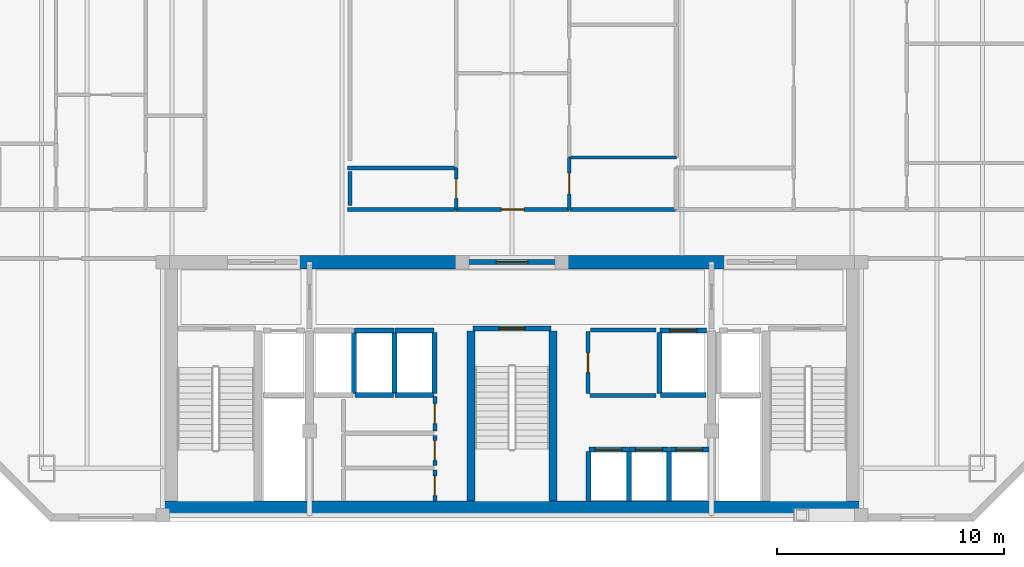
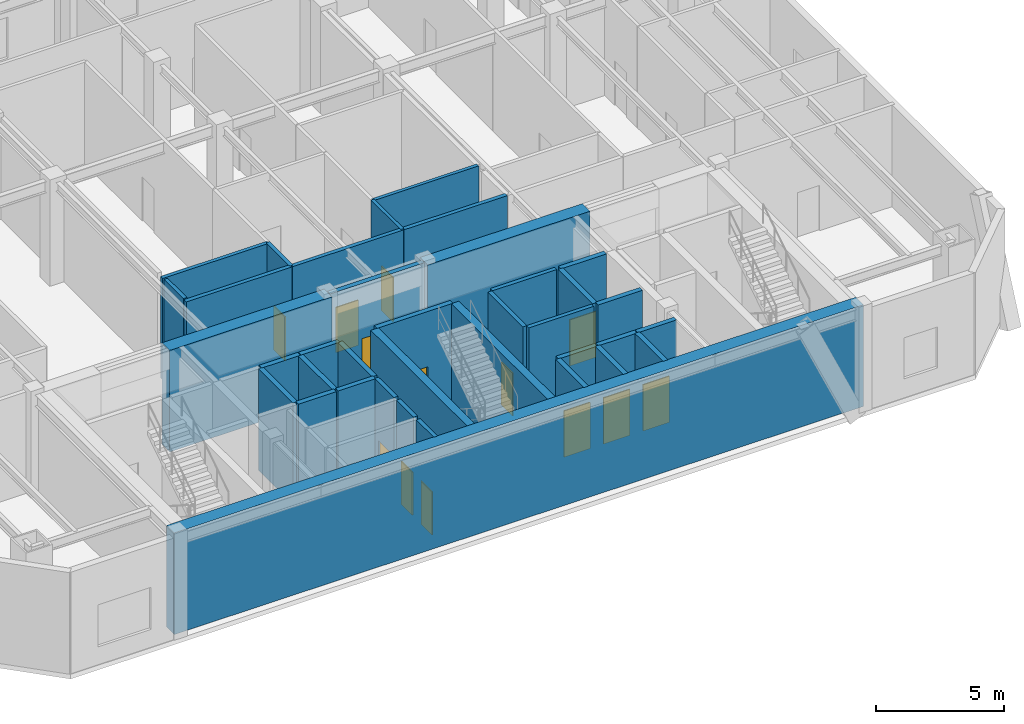
# One storey, part 3 of 8: 37 walls, 13 doors, 13 openings.
"""IFC4 building model written with IfcOpenShell, lengths in metres."""

from ifc_helpers import new_model, si_unit, direction, frame, frame_2d, origin, place, context, subcontext, project, spatial, rectangle, extrude, material, layer, layer_set, type_object, element, fill, save


model = new_model("IFC4")

# Units and contexts
model_context = context("Model", 3, precision=1e-05, world=origin(), true_north=direction((0.0, 1.0)))
body_context = subcontext(model_context, "Body", "Model", "MODEL_VIEW")
ifc_project = project(units=[si_unit("LENGTHUNIT", "METRE"), si_unit("AREAUNIT", "SQUARE_METRE"), si_unit("VOLUMEUNIT", "CUBIC_METRE"), si_unit("PLANEANGLEUNIT", "RADIAN"), si_unit("MASSUNIT", "GRAM", prefix="KILO")], contexts=[model_context])

# Site, building, storey
site_placement = place(None, origin())
site = spatial("IfcSite", under=ifc_project, at=site_placement, CompositionType="ELEMENT")
building_placement = place(site_placement, origin())
building = spatial("IfcBuilding", under=site, at=building_placement, Name="Ventersveld Concourse Tower", CompositionType="ELEMENT")
storey_placement = place(building_placement, frame((0.0, 0.0, 187.550048828125)))
storey = spatial("IfcBuildingStorey", under=building, at=storey_placement, Name="L46", CompositionType="ELEMENT", Elevation=187.550048828125)

# Walls
ifc_material_1 = material(Name="Concrete C50/60", Category="concrete")
ifc_layer_1 = layer(ifc_material_1, 0.35009765625)
ifc_layer_set_1 = layer_set([ifc_layer_1], Name="Concrete C50/60")
wall_type_1 = type_object("IfcWallType", Name="WL-CORE-350U", PredefinedType="SHEAR", material=ifc_layer_set_1)
for number, where, z_axis, x_axis, name in (
    (1, (26.93994140625, 0.919921875, 0.0), (0.0, 0.0, 1.0), (0.0, 1.0, 0.0), "L46 Core Internal Shear Web W-ST3-W"),
    (2, (30.56005859375, 0.919921875, 0.0), (0.0, 0.0, 1.0), (0.0, 1.0, 0.0), "L46 Core Internal Shear Web W-ST3-E"),
):
    element("IfcWall", number, at=place(storey_placement, frame(where, z_axis=z_axis, x_axis=x_axis)), inside=storey, type_object=wall_type_1, Name=name, PredefinedType="SHEAR", context=body_context, shape_type="SweptSolid", body=[
        extrude(rectangle(XDim=7.5, YDim=0.35009765625, at=frame_2d((3.75, 0.0))), origin(), (0.0, 0.0, 1.0), 4.829833984375),
    ])
ifc_layer_2 = layer(ifc_material_1, 0.60009765625)
ifc_layer_set_2 = layer_set([ifc_layer_2], Name="Concrete C50/60")
wall_type_2 = type_object("IfcWallType", Name="WL-CORE-600", PredefinedType="SHEAR", material=ifc_layer_set_2)
wall_1_placement = place(storey_placement, frame((13.25, 0.6201171875, 0.0), z_axis=(0.0, 0.0, 1.0), x_axis=(1.0, 0.0, 0.0)))
element("IfcWall", 3, at=wall_1_placement, inside=storey, type_object=wall_type_2, Name="L46 Rear Core South Shear Wall", PredefinedType="SHEAR", context=body_context, shape_type="SweptSolid", body=[
    extrude(rectangle(XDim=31.0, YDim=0.60009765625, at=frame_2d((15.5, 0.0))), origin(), (0.0, 0.0, 1.0), 4.829833984375),
])
for number, where, z_axis, x_axis, name in (
    (4, (19.300048828125, 11.449951171875, 0.0), (0.0, 0.0, 1.0), (1.0, 0.0, 0.0), "L46 Rear Core North Shear Wall NML"),
    (5, (30.89990234375, 11.449951171875, 0.0), (0.0, 0.0, 1.0), (1.0, 0.0, 0.0), "L46 Rear Core North Shear Wall NMR"),
):
    element("IfcWall", number, at=place(storey_placement, frame(where, z_axis=z_axis, x_axis=x_axis)), inside=storey, type_object=wall_type_2, Name=name, PredefinedType="SHEAR", context=body_context, shape_type="SweptSolid", body=[
        extrude(rectangle(XDim=7.300048828125, YDim=0.60009765625, at=frame_2d((3.64990234375, 0.0))), origin(), (0.0, 0.0, 1.0), 4.829833984375),
    ])

# Wall, opening, door
ifc_material_2 = material(Name="Fire-rated autoclaved aerated masonry blockwork", Category="masonry")
ifc_layer_3 = layer(ifc_material_2, 0.179931640625)
ifc_layer_set_3 = layer_set([ifc_layer_3], Name="Fire-rated autoclaved aerated masonry blockwork")
wall_type_3 = type_object("IfcWallType", Name="WL-CORR-180", PredefinedType="PARTITIONING", material=ifc_layer_set_3)
wall_2_placement = place(storey_placement, frame((25.35009765625, 0.89990234375, 0.0), z_axis=(0.0, 0.0, 1.0), x_axis=(0.0, 1.0, 0.0)))
wall_2 = element("IfcWall", 6, at=wall_2_placement, inside=storey, type_object=wall_type_3, Name="L46 Core Passage Wall SP-L46-RECB1S", PredefinedType="PARTITIONING", context=body_context, shape_type="SweptSolid", body=[
    extrude(rectangle(XDim=1.3701171875, YDim=0.179931640625, at=frame_2d((0.68505859375, 0.0))), origin(), (0.0, 0.0, 1.0), 4.829833984375),
])
opening_1_placement = place(wall_2_placement, frame((0.2451171875, 0.0, 0.0)))
opening_1 = element("IfcOpeningElement", 7, at=opening_1_placement, cuts=wall_2, Name="Opening FD5", PredefinedType="OPENING", context=body_context, shape_type="SweptSolid", body=[
    extrude(rectangle(XDim=0.8798828125, YDim=2.050048828125, at=frame_2d((0.43994140625, 1.02490234375))), frame((0.0, 0.10009765625, 0.0), z_axis=(0.0, -1.0, 0.0), x_axis=(1.0, 0.0, 0.0)), (0.0, 0.0, 1.0), 0.199951171875),
])
ifc_material_3 = material(Name="Galvanised painted steel", Category="steel")
door_type_1 = type_object("IfcDoorType", Name="DR-RISER-088", OperationType="NOTDEFINED", PredefinedType="DOOR", material=ifc_material_3)
door_1_placement = place(opening_1_placement, origin())
door_1 = element("IfcDoor", 8, at=door_1_placement, inside=storey, type_object=door_type_1, Name="L46 Core Room Door L46 Reclaimed Core Wine Cellar Store (CD-L46-2249)", OperationType="SINGLE_SWING_RIGHT", OverallHeight=2.050048828125, OverallWidth=0.8798828125, PredefinedType="DOOR", context=body_context, shape_type="SweptSolid", body=[
    extrude(rectangle(XDim=0.8798828125, YDim=2.050048828125, at=frame_2d((0.43994140625, 1.02490234375))), frame((0.0, 0.02490234375, 0.0), z_axis=(0.0, -1.0, 0.0), x_axis=(1.0, 0.0, 0.0)), (0.0, 0.0, 1.0), 0.050048828125),
])
fill(opening_1, door_1)

wall_3_placement = place(storey_placement, frame((25.35009765625, 2.469970703125, 0.0), z_axis=(0.0, 0.0, 1.0), x_axis=(0.0, 1.0, 0.0)))
wall_3 = element("IfcWall", 9, at=wall_3_placement, inside=storey, type_object=wall_type_3, Name="L46 Core Passage Wall SP-L46-RECB1M", PredefinedType="PARTITIONING", context=body_context, shape_type="SweptSolid", body=[
    extrude(rectangle(XDim=1.340087890625, YDim=0.179931640625, at=frame_2d((0.669921875, 0.0))), origin(), (0.0, 0.0, 1.0), 4.829833984375),
])
opening_2_placement = place(wall_3_placement, frame((0.22998046875, 0.0, 0.0)))
opening_2 = element("IfcOpeningElement", 10, at=opening_2_placement, cuts=wall_3, Name="Opening FD5", PredefinedType="OPENING", context=body_context, shape_type="SweptSolid", body=[
    extrude(rectangle(XDim=0.8798828125, YDim=2.050048828125, at=frame_2d((0.43994140625, 1.02490234375))), frame((0.0, 0.10009765625, 0.0), z_axis=(0.0, -1.0, 0.0), x_axis=(1.0, 0.0, 0.0)), (0.0, 0.0, 1.0), 0.199951171875),
])
door_2_placement = place(opening_2_placement, origin())
door_2 = element("IfcDoor", 11, at=door_2_placement, inside=storey, type_object=door_type_1, Name="L46 Core Room Door L46 Reclaimed Core Archive Store (CD-L46-2250)", OperationType="SINGLE_SWING_LEFT", OverallHeight=2.050048828125, OverallWidth=0.8798828125, PredefinedType="DOOR", context=body_context, shape_type="SweptSolid", body=[
    extrude(rectangle(XDim=0.8798828125, YDim=2.050048828125, at=frame_2d((0.43994140625, 1.02490234375))), frame((0.0, 0.02490234375, 0.0), z_axis=(0.0, -1.0, 0.0), x_axis=(1.0, 0.0, 0.0)), (0.0, 0.0, 1.0), 0.050048828125),
])
fill(opening_2, door_2)

wall_4_placement = place(storey_placement, frame((25.35009765625, 4.010009765625, 0.0), z_axis=(0.0, 0.0, 1.0), x_axis=(0.0, 1.0, 0.0)))
wall_4 = element("IfcWall", 12, at=wall_4_placement, inside=storey, type_object=wall_type_3, Name="L46 Core Passage Wall SP-L46-RECB1N", PredefinedType="PARTITIONING", context=body_context, shape_type="SweptSolid", body=[
    extrude(rectangle(XDim=1.510009765625, YDim=0.179931640625, at=frame_2d((0.7548828125, 0.0))), origin(), (0.0, 0.0, 1.0), 4.829833984375),
])
opening_3_placement = place(wall_4_placement, frame((0.31494140625, 0.0, 0.0)))
opening_3 = element("IfcOpeningElement", 13, at=opening_3_placement, cuts=wall_4, Name="Opening FD5", PredefinedType="OPENING", context=body_context, shape_type="SweptSolid", body=[
    extrude(rectangle(XDim=0.8798828125, YDim=2.050048828125, at=frame_2d((0.43994140625, 1.02490234375))), frame((0.0, 0.10009765625, 0.0), z_axis=(0.0, -1.0, 0.0), x_axis=(1.0, 0.0, 0.0)), (0.0, 0.0, 1.0), 0.199951171875),
])
door_3_placement = place(opening_3_placement, origin())
door_3 = element("IfcDoor", 14, at=door_3_placement, inside=storey, type_object=door_type_1, Name="L46 Core Room Door L46 Reclaimed Core Pram and Cycle Store (CD-L46-2251)", OperationType="SINGLE_SWING_RIGHT", OverallHeight=2.050048828125, OverallWidth=0.8798828125, PredefinedType="DOOR", context=body_context, shape_type="SweptSolid", body=[
    extrude(rectangle(XDim=0.8798828125, YDim=2.050048828125, at=frame_2d((0.43994140625, 1.02490234375))), frame((0.0, 0.02490234375, 0.0), z_axis=(0.0, -1.0, 0.0), x_axis=(1.0, 0.0, 0.0)), (0.0, 0.0, 1.0), 0.050048828125),
])
fill(opening_3, door_3)

wall_5_placement = place(storey_placement, frame((32.10009765625, 5.64990234375, 0.0), z_axis=(0.0, 0.0, 1.0), x_axis=(0.0, 1.0, 0.0)))
wall_5 = element("IfcWall", 15, at=wall_5_placement, inside=storey, type_object=wall_type_3, Name="L46 Core Passage Wall SP-L46-CBAY1", PredefinedType="PARTITIONING", context=body_context, shape_type="SweptSolid", body=[
    extrude(rectangle(XDim=2.72998046875, YDim=0.179931640625, at=frame_2d((1.364990234375, 0.0))), origin(), (0.0, 0.0, 1.0), 4.829833984375),
])
opening_4_placement = place(wall_5_placement, frame((0.925048828125, 0.0, 0.0)))
opening_4 = element("IfcOpeningElement", 16, at=opening_4_placement, cuts=wall_5, Name="Opening FD5", PredefinedType="OPENING", context=body_context, shape_type="SweptSolid", body=[
    extrude(rectangle(XDim=0.8798828125, YDim=2.050048828125, at=frame_2d((0.43994140625, 1.02490234375))), frame((0.0, 0.10009765625, 0.0), z_axis=(0.0, -1.0, 0.0), x_axis=(1.0, 0.0, 0.0)), (0.0, 0.0, 1.0), 0.199951171875),
])
door_4_placement = place(opening_4_placement, origin())
door_4 = element("IfcDoor", 17, at=door_4_placement, inside=storey, type_object=door_type_1, Name="L46 Core Room Door L46 Core Housekeeping Linen Store (CD-L46-2252)", OperationType="SINGLE_SWING_LEFT", OverallHeight=2.050048828125, OverallWidth=0.8798828125, PredefinedType="DOOR", context=body_context, shape_type="SweptSolid", body=[
    extrude(rectangle(XDim=0.8798828125, YDim=2.050048828125, at=frame_2d((0.43994140625, 1.02490234375))), frame((0.0, 0.02490234375, 0.0), z_axis=(0.0, -1.0, 0.0), x_axis=(1.0, 0.0, 0.0)), (0.0, 0.0, 1.0), 0.050048828125),
])
fill(opening_4, door_4)

# Walls
wall_6_placement = place(storey_placement, frame((32.219970703125, 8.4599609375, 0.0), z_axis=(0.0, 0.0, 1.0), x_axis=(1.0, 0.0, 0.0)))
element("IfcWall", 18, at=wall_6_placement, inside=storey, type_object=wall_type_3, Name="L46 Core Top Wall SP-L46-CBAY1", PredefinedType="PARTITIONING", context=body_context, shape_type="SweptSolid", body=[
    extrude(rectangle(XDim=2.880126953125, YDim=0.179931640625, at=frame_2d((1.43994140625, 0.0))), origin(), (0.0, 0.0, 1.0), 4.829833984375),
])
wall_7_placement = place(storey_placement, frame((32.179931640625, 5.570068359375, 0.0), z_axis=(0.0, 0.0, 1.0), x_axis=(1.0, 0.0, 0.0)))
element("IfcWall", 19, at=wall_7_placement, inside=storey, type_object=wall_type_3, Name="L46 Core Bot Wall SP-L46-CBAY1", PredefinedType="PARTITIONING", context=body_context, shape_type="SweptSolid", body=[
    extrude(rectangle(XDim=2.920166015625, YDim=0.179931640625, at=frame_2d((1.4599609375, 0.0))), origin(), (0.0, 0.0, 1.0), 4.829833984375),
])

# Wall, opening, door
wall_8_placement = place(storey_placement, frame((26.28466796875, 13.77001953125, 0.0), z_axis=(0.0, 0.0, 1.0), x_axis=(1.0, 0.0, 0.0)))
wall_8 = element("IfcWall", 20, at=wall_8_placement, inside=storey, type_object=wall_type_3, Name="L46 Interior Partition SP-L46-COR-SP-L46-46CM-FOY", PredefinedType="PARTITIONING", context=body_context, shape_type="SweptSolid", body=[
    extrude(rectangle(XDim=4.989990234375, YDim=0.179931640625, at=frame_2d((2.4951171875, 0.0))), origin(), (0.0, 0.0, 1.0), 4.829833984375),
])
opening_5_placement = place(wall_8_placement, frame((1.9951171875, 0.0, 0.0)))
opening_5 = element("IfcOpeningElement", 21, at=opening_5_placement, cuts=wall_8, Name="Opening FD3", PredefinedType="OPENING", context=body_context, shape_type="SweptSolid", body=[
    extrude(rectangle(XDim=1.0, YDim=2.14990234375, at=frame_2d((0.5, 1.074951171875))), frame((0.0, 0.10009765625, 0.0), z_axis=(0.0, -1.0, 0.0), x_axis=(1.0, 0.0, 0.0)), (0.0, 0.0, 1.0), 0.199951171875),
])
ifc_material_4 = material(Name="Solid-core hardwood veneer timber", Category="wood")
door_type_2 = type_object("IfcDoorType", Name="DR-FLAT-100", OperationType="NOTDEFINED", PredefinedType="DOOR", material=ifc_material_4)
door_5_placement = place(opening_5_placement, origin())
door_5 = element("IfcDoor", 22, at=door_5_placement, inside=storey, type_object=door_type_2, Name="L46 Interior Door SP-L46-COR to SP-L46-46CM-FOY (FD-L46-2257)", OperationType="SINGLE_SWING_LEFT", OverallHeight=2.14990234375, OverallWidth=1.0, PredefinedType="DOOR", context=body_context, shape_type="SweptSolid", body=[
    extrude(rectangle(XDim=1.0, YDim=2.14990234375, at=frame_2d((0.5, 1.074951171875))), frame((0.0, 0.02490234375, 0.0), z_axis=(0.0, -1.0, 0.0), x_axis=(1.0, 0.0, 0.0)), (0.0, 0.0, 1.0), 0.050048828125),
])
fill(opening_5, door_5)

# Walls
wall_9_placement = place(storey_placement, frame((21.5048828125, 13.77001953125, 0.0), z_axis=(0.0, 0.0, 1.0), x_axis=(1.0, 0.0, 0.0)))
element("IfcWall", 23, at=wall_9_placement, inside=storey, type_object=wall_type_3, Name="L46 Interior Partition SP-L46-COR-SP-L46-46CM-BATH", PredefinedType="PARTITIONING", context=body_context, shape_type="SweptSolid", body=[
    extrude(rectangle(XDim=4.749755859375, YDim=0.179931640625, at=frame_2d((2.375, 0.0))), origin(), (0.0, 0.0, 1.0), 4.829833984375),
])
wall_10_placement = place(storey_placement, frame((31.3046875, 13.77001953125, 0.0), z_axis=(0.0, 0.0, 1.0), x_axis=(1.0, 0.0, 0.0)))
element("IfcWall", 24, at=wall_10_placement, inside=storey, type_object=wall_type_3, Name="L46 Interior Partition SP-L46-COR-SP-L46-46CM-KIT", PredefinedType="PARTITIONING", context=body_context, shape_type="SweptSolid", body=[
    extrude(rectangle(XDim=4.650390625, YDim=0.179931640625, at=frame_2d((2.3251953125, 0.0))), origin(), (0.0, 0.0, 1.0), 4.829833984375),
])
ifc_layer_4 = layer(ifc_material_2, 0.219970703125)
ifc_layer_set_4 = layer_set([ifc_layer_4], Name="Fire-rated autoclaved aerated masonry blockwork")
wall_type_4 = type_object("IfcWallType", Name="WL-HOIST-220", PredefinedType="SOLIDWALL", material=ifc_layer_set_4)
wall_11_placement = place(storey_placement, frame((35.300048828125, 5.590087890625, 0.0), z_axis=(0.0, 0.0, 1.0), x_axis=(1.0, 0.0, 0.0)))
element("IfcWall", 25, at=wall_11_placement, inside=storey, type_object=wall_type_4, Name="L46 Lift Hoistway Back Wall SVL-01", PredefinedType="SOLIDWALL", context=body_context, shape_type="SweptSolid", body=[
    extrude(rectangle(XDim=2.0, YDim=0.219970703125, at=frame_2d((1.0, 0.0))), origin(), (0.0, 0.0, 1.0), 4.829833984375),
])
wall_12_placement = place(storey_placement, frame((35.260009765625, 5.64990234375, 0.0), z_axis=(0.0, 0.0, 1.0), x_axis=(0.0, 1.0, 0.0)))
element("IfcWall", 26, at=wall_12_placement, inside=storey, type_object=wall_type_4, Name="L46 Lift Hoistway Side Wall SVL-01W", PredefinedType="SOLIDWALL", context=body_context, shape_type="SweptSolid", body=[
    extrude(rectangle(XDim=2.7001953125, YDim=0.219970703125, at=frame_2d((1.35009765625, 0.0))), origin(), (0.0, 0.0, 1.0), 4.829833984375),
])

# Wall, opening, door
wall_13_placement = place(storey_placement, frame((35.280029296875, 8.429931640625, 0.0), z_axis=(0.0, 0.0, 1.0), x_axis=(1.0, 0.0, 0.0)))
wall_13 = element("IfcWall", 27, at=wall_13_placement, inside=storey, type_object=wall_type_4, Name="L46 Lift Hoistway Front Wall SVL-01", PredefinedType="SOLIDWALL", context=body_context, shape_type="SweptSolid", body=[
    extrude(rectangle(XDim=2.0400390625, YDim=0.219970703125, at=frame_2d((1.02001953125, 0.0))), origin(), (0.0, 0.0, 1.0), 4.829833984375),
])
opening_6_placement = place(wall_13_placement, frame((0.429931640625, 0.0, 0.0)))
opening_6 = element("IfcOpeningElement", 28, at=opening_6_placement, cuts=wall_13, Name="Opening LD2", PredefinedType="OPENING", context=body_context, shape_type="SweptSolid", body=[
    extrude(rectangle(XDim=1.179931640625, YDim=2.199951171875, at=frame_2d((0.58984375, 1.10009765625))), frame((0.0, 0.1201171875, 0.0), z_axis=(0.0, -1.0, 0.0), x_axis=(1.0, 0.0, 0.0)), (0.0, 0.0, 1.0), 0.239990234375),
])
ifc_material_5 = material(Name="Brushed stainless steel 316", Category="steel")
door_type_3 = type_object("IfcDoorType", Name="LD-PAX-118", OperationType="SLIDING_TO_LEFT", PredefinedType="DOOR", material=ifc_material_5)
door_6_placement = place(opening_6_placement, origin())
door_6 = element("IfcDoor", 29, at=door_6_placement, inside=storey, type_object=door_type_3, Name="L46 Lift landing door SVL-01 (LD-L46-SVL-01)", OperationType="SLIDING_TO_LEFT", OverallHeight=2.199951171875, OverallWidth=1.179931640625, PredefinedType="DOOR", context=body_context, shape_type="SweptSolid", body=[
    extrude(rectangle(XDim=1.179931640625, YDim=2.199951171875, at=frame_2d((0.58984375, 1.10009765625))), frame((0.0, 0.02490234375, 0.0), z_axis=(0.0, -1.0, 0.0), x_axis=(1.0, 0.0, 0.0)), (0.0, 0.0, 1.0), 0.050048828125),
])
fill(opening_6, door_6)

# Walls
for number, where, z_axis, x_axis, name in (
    (30, (32.1201171875, 0.89990234375, 0.0), (0.0, 0.0, 1.0), (0.0, 1.0, 0.0), "L46 Lift Hoistway Side Wall PM-01W"),
    (31, (33.89990234375, 0.89990234375, 0.0), (0.0, 0.0, 1.0), (0.0, 1.0, 0.0), "L46 Lift Hoistway Side Wall PM-01E"),
):
    element("IfcWall", number, at=place(storey_placement, frame(where, z_axis=z_axis, x_axis=x_axis)), inside=storey, type_object=wall_type_4, Name=name, PredefinedType="SOLIDWALL", context=body_context, shape_type="SweptSolid", body=[
        extrude(rectangle(XDim=2.2001953125, YDim=0.219970703125, at=frame_2d((1.10009765625, 0.0))), origin(), (0.0, 0.0, 1.0), 4.829833984375),
    ])

# Wall, opening, door
wall_14_placement = place(storey_placement, frame((32.139892578125, 3.179931640625, 0.0), z_axis=(0.0, 0.0, 1.0), x_axis=(1.0, 0.0, 0.0)))
wall_14 = element("IfcWall", 32, at=wall_14_placement, inside=storey, type_object=wall_type_4, Name="L46 Lift Hoistway Front Wall PM-01", PredefinedType="SOLIDWALL", context=body_context, shape_type="SweptSolid", body=[
    extrude(rectangle(XDim=1.739990234375, YDim=0.219970703125, at=frame_2d((0.8701171875, 0.0))), origin(), (0.0, 0.0, 1.0), 4.829833984375),
])
opening_7_placement = place(wall_14_placement, frame((0.280029296875, 0.0, 0.0)))
opening_7 = element("IfcOpeningElement", 33, at=opening_7_placement, cuts=wall_14, Name="Opening LD2", PredefinedType="OPENING", context=body_context, shape_type="SweptSolid", body=[
    extrude(rectangle(XDim=1.179931640625, YDim=2.199951171875, at=frame_2d((0.58984375, 1.10009765625))), frame((0.0, 0.1201171875, 0.0), z_axis=(0.0, -1.0, 0.0), x_axis=(1.0, 0.0, 0.0)), (0.0, 0.0, 1.0), 0.239990234375),
])
door_7_placement = place(opening_7_placement, origin())
door_7 = element("IfcDoor", 34, at=door_7_placement, inside=storey, type_object=door_type_3, Name="L46 Lift landing door PM-01 (LD-L46-PM-01)", OperationType="SLIDING_TO_RIGHT", OverallHeight=2.199951171875, OverallWidth=1.179931640625, PredefinedType="DOOR", context=body_context, shape_type="SweptSolid", body=[
    extrude(rectangle(XDim=1.179931640625, YDim=2.199951171875, at=frame_2d((0.58984375, 1.10009765625))), frame((0.0, 0.02490234375, 0.0), z_axis=(0.0, -1.0, 0.0), x_axis=(1.0, 0.0, 0.0)), (0.0, 0.0, 1.0), 0.050048828125),
])
fill(opening_7, door_7)

# Wall
wall_15_placement = place(storey_placement, frame((35.679931640625, 0.89990234375, 0.0), z_axis=(0.0, 0.0, 1.0), x_axis=(0.0, 1.0, 0.0)))
element("IfcWall", 35, at=wall_15_placement, inside=storey, type_object=wall_type_4, Name="L46 Lift Hoistway Side Wall PM-02E", PredefinedType="SOLIDWALL", context=body_context, shape_type="SweptSolid", body=[
    extrude(rectangle(XDim=2.2001953125, YDim=0.219970703125, at=frame_2d((1.10009765625, 0.0))), origin(), (0.0, 0.0, 1.0), 4.829833984375),
])

# Wall, opening, door
wall_16_placement = place(storey_placement, frame((33.919921875, 3.179931640625, 0.0), z_axis=(0.0, 0.0, 1.0), x_axis=(1.0, 0.0, 0.0)))
wall_16 = element("IfcWall", 36, at=wall_16_placement, inside=storey, type_object=wall_type_4, Name="L46 Lift Hoistway Front Wall PM-02", PredefinedType="SOLIDWALL", context=body_context, shape_type="SweptSolid", body=[
    extrude(rectangle(XDim=1.739990234375, YDim=0.219970703125, at=frame_2d((0.8701171875, 0.0))), origin(), (0.0, 0.0, 1.0), 4.829833984375),
])
opening_8_placement = place(wall_16_placement, frame((0.280029296875, 0.0, 0.0)))
opening_8 = element("IfcOpeningElement", 37, at=opening_8_placement, cuts=wall_16, Name="Opening LD2", PredefinedType="OPENING", context=body_context, shape_type="SweptSolid", body=[
    extrude(rectangle(XDim=1.179931640625, YDim=2.199951171875, at=frame_2d((0.58984375, 1.10009765625))), frame((0.0, 0.1201171875, 0.0), z_axis=(0.0, -1.0, 0.0), x_axis=(1.0, 0.0, 0.0)), (0.0, 0.0, 1.0), 0.239990234375),
])
door_8_placement = place(opening_8_placement, origin())
door_8 = element("IfcDoor", 38, at=door_8_placement, inside=storey, type_object=door_type_3, Name="L46 Lift landing door PM-02 (LD-L46-PM-02)", OperationType="SLIDING_TO_LEFT", OverallHeight=2.199951171875, OverallWidth=1.179931640625, PredefinedType="DOOR", context=body_context, shape_type="SweptSolid", body=[
    extrude(rectangle(XDim=1.179931640625, YDim=2.199951171875, at=frame_2d((0.58984375, 1.10009765625))), frame((0.0, 0.02490234375, 0.0), z_axis=(0.0, -1.0, 0.0), x_axis=(1.0, 0.0, 0.0)), (0.0, 0.0, 1.0), 0.050048828125),
])
fill(opening_8, door_8)

wall_17_placement = place(storey_placement, frame((35.699951171875, 3.179931640625, 0.0), z_axis=(0.0, 0.0, 1.0), x_axis=(1.0, 0.0, 0.0)))
wall_17 = element("IfcWall", 39, at=wall_17_placement, inside=storey, type_object=wall_type_4, Name="L46 Lift Hoistway Front Wall PM-03", PredefinedType="SOLIDWALL", context=body_context, shape_type="SweptSolid", body=[
    extrude(rectangle(XDim=1.739990234375, YDim=0.219970703125, at=frame_2d((0.8701171875, 0.0))), origin(), (0.0, 0.0, 1.0), 4.829833984375),
])
opening_9_placement = place(wall_17_placement, frame((0.280029296875, 0.0, 0.0)))
opening_9 = element("IfcOpeningElement", 40, at=opening_9_placement, cuts=wall_17, Name="Opening LD2", PredefinedType="OPENING", context=body_context, shape_type="SweptSolid", body=[
    extrude(rectangle(XDim=1.179931640625, YDim=2.199951171875, at=frame_2d((0.58984375, 1.10009765625))), frame((0.0, 0.1201171875, 0.0), z_axis=(0.0, -1.0, 0.0), x_axis=(1.0, 0.0, 0.0)), (0.0, 0.0, 1.0), 0.239990234375),
])
door_9_placement = place(opening_9_placement, origin())
door_9 = element("IfcDoor", 41, at=door_9_placement, inside=storey, type_object=door_type_3, Name="L46 Lift landing door PM-03 (LD-L46-PM-03)", OperationType="SLIDING_TO_RIGHT", OverallHeight=2.199951171875, OverallWidth=1.179931640625, PredefinedType="DOOR", context=body_context, shape_type="SweptSolid", body=[
    extrude(rectangle(XDim=1.179931640625, YDim=2.199951171875, at=frame_2d((0.58984375, 1.10009765625))), frame((0.0, 0.02490234375, 0.0), z_axis=(0.0, -1.0, 0.0), x_axis=(1.0, 0.0, 0.0)), (0.0, 0.0, 1.0), 0.050048828125),
])
fill(opening_9, door_9)

# Walls
wall_18_placement = place(storey_placement, frame((21.780029296875, 5.64990234375, 0.0), z_axis=(0.0, 0.0, 1.0), x_axis=(0.0, 1.0, 0.0)))
element("IfcWall", 42, at=wall_18_placement, inside=storey, type_object=wall_type_4, Name="L46 Lift Hoistway Side Wall PH-01E", PredefinedType="SOLIDWALL", context=body_context, shape_type="SweptSolid", body=[
    extrude(rectangle(XDim=2.7001953125, YDim=0.219970703125, at=frame_2d((1.35009765625, 0.0))), origin(), (0.0, 0.0, 1.0), 4.829833984375),
])
wall_19_placement = place(storey_placement, frame((21.820068359375, 5.590087890625, 0.0), z_axis=(0.0, 0.0, 1.0), x_axis=(1.0, 0.0, 0.0)))
element("IfcWall", 43, at=wall_19_placement, inside=storey, type_object=wall_type_4, Name="L46 Lift Hoistway Back Wall PH-02", PredefinedType="SOLIDWALL", context=body_context, shape_type="SweptSolid", body=[
    extrude(rectangle(XDim=1.699951171875, YDim=0.219970703125, at=frame_2d((0.85009765625, 0.0))), origin(), (0.0, 0.0, 1.0), 4.829833984375),
])
wall_20_placement = place(storey_placement, frame((23.56005859375, 5.64990234375, 0.0), z_axis=(0.0, 0.0, 1.0), x_axis=(0.0, 1.0, 0.0)))
element("IfcWall", 44, at=wall_20_placement, inside=storey, type_object=wall_type_4, Name="L46 Lift Hoistway Side Wall PH-02E", PredefinedType="SOLIDWALL", context=body_context, shape_type="SweptSolid", body=[
    extrude(rectangle(XDim=2.7001953125, YDim=0.219970703125, at=frame_2d((1.35009765625, 0.0))), origin(), (0.0, 0.0, 1.0), 4.829833984375),
])
wall_21_placement = place(storey_placement, frame((21.800048828125, 8.429931640625, 0.0), z_axis=(0.0, 0.0, 1.0), x_axis=(1.0, 0.0, 0.0)))
element("IfcWall", 45, at=wall_21_placement, inside=storey, type_object=wall_type_4, Name="L46 Lift Hoistway Front Wall PH-02", PredefinedType="SOLIDWALL", context=body_context, shape_type="SweptSolid", body=[
    extrude(rectangle(XDim=1.739990234375, YDim=0.219970703125, at=frame_2d((0.8701171875, 0.0))), origin(), (0.0, 0.0, 1.0), 4.829833984375),
])
wall_22_placement = place(storey_placement, frame((23.60009765625, 5.590087890625, 0.0), z_axis=(0.0, 0.0, 1.0), x_axis=(1.0, 0.0, 0.0)))
element("IfcWall", 46, at=wall_22_placement, inside=storey, type_object=wall_type_4, Name="L46 Lift Hoistway Back Wall PH-03", PredefinedType="SOLIDWALL", context=body_context, shape_type="SweptSolid", body=[
    extrude(rectangle(XDim=1.699951171875, YDim=0.219970703125, at=frame_2d((0.85009765625, 0.0))), origin(), (0.0, 0.0, 1.0), 4.829833984375),
])
wall_23_placement = place(storey_placement, frame((25.340087890625, 5.64990234375, 0.0), z_axis=(0.0, 0.0, 1.0), x_axis=(0.0, 1.0, 0.0)))
element("IfcWall", 47, at=wall_23_placement, inside=storey, type_object=wall_type_4, Name="L46 Lift Hoistway Side Wall PH-03E", PredefinedType="SOLIDWALL", context=body_context, shape_type="SweptSolid", body=[
    extrude(rectangle(XDim=2.7001953125, YDim=0.219970703125, at=frame_2d((1.35009765625, 0.0))), origin(), (0.0, 0.0, 1.0), 4.829833984375),
])
wall_24_placement = place(storey_placement, frame((23.580078125, 8.429931640625, 0.0), z_axis=(0.0, 0.0, 1.0), x_axis=(1.0, 0.0, 0.0)))
element("IfcWall", 48, at=wall_24_placement, inside=storey, type_object=wall_type_4, Name="L46 Lift Hoistway Front Wall PH-03", PredefinedType="SOLIDWALL", context=body_context, shape_type="SweptSolid", body=[
    extrude(rectangle(XDim=1.739990234375, YDim=0.219970703125, at=frame_2d((0.8701171875, 0.0))), origin(), (0.0, 0.0, 1.0), 4.829833984375),
])

# Wall, opening, door
wall_25_placement = place(storey_placement, frame((27.0400390625, 8.52001953125, 0.0), z_axis=(0.0, 0.0, 1.0), x_axis=(1.0, 0.0, 0.0)))
wall_25 = element("IfcWall", 49, at=wall_25_placement, inside=storey, type_object=wall_type_4, Name="L46 Escape Stair ST03 Fire Wall", PredefinedType="SOLIDWALL", context=body_context, shape_type="SweptSolid", body=[
    extrude(rectangle(XDim=3.419921875, YDim=0.219970703125, at=frame_2d((1.7099609375, 0.0))), origin(), (0.0, 0.0, 1.0), 4.829833984375),
])
opening_10_placement = place(wall_25_placement, frame((1.135009765625, 0.0, 0.0)))
opening_10 = element("IfcOpeningElement", 50, at=opening_10_placement, cuts=wall_25, Name="Opening FD1", PredefinedType="OPENING", context=body_context, shape_type="SweptSolid", body=[
    extrude(rectangle(XDim=1.14990234375, YDim=2.199951171875, at=frame_2d((0.574951171875, 1.10009765625))), frame((0.0, 0.1201171875, 0.0), z_axis=(0.0, -1.0, 0.0), x_axis=(1.0, 0.0, 0.0)), (0.0, 0.0, 1.0), 0.239990234375),
])
door_type_4 = type_object("IfcDoorType", Name="DR-STAIR-115", OperationType="NOTDEFINED", PredefinedType="DOOR", material=ifc_material_3)
door_10_placement = place(opening_10_placement, origin())
door_10 = element("IfcDoor", 51, at=door_10_placement, inside=storey, type_object=door_type_4, Name="L46 Escape Stair Door ST03 (SD-L46-2243)", OperationType="SINGLE_SWING_LEFT", OverallHeight=2.199951171875, OverallWidth=1.14990234375, PredefinedType="DOOR", context=body_context, shape_type="SweptSolid", body=[
    extrude(rectangle(XDim=1.14990234375, YDim=2.199951171875, at=frame_2d((0.574951171875, 1.10009765625))), frame((0.0, 0.02490234375, 0.0), z_axis=(0.0, -1.0, 0.0), x_axis=(1.0, 0.0, 0.0)), (0.0, 0.0, 1.0), 0.050048828125),
])
fill(opening_10, door_10)

wall_26_placement = place(storey_placement, frame((26.6298828125, 11.449951171875, 0.0), z_axis=(0.0, 0.0, 1.0), x_axis=(1.0, 0.0, 0.0)))
wall_26 = element("IfcWall", 52, at=wall_26_placement, inside=storey, type_object=wall_type_4, Name="L46 Core North Fire Portal PLOB-OUT", PredefinedType="SOLIDWALL", context=body_context, shape_type="SweptSolid", body=[
    extrude(rectangle(XDim=4.240234375, YDim=0.219970703125, at=frame_2d((2.1201171875, 0.0))), origin(), (0.0, 0.0, 1.0), 4.829833984375),
])
opening_11_placement = place(wall_26_placement, frame((1.419921875, 0.0, 0.0)))
opening_11 = element("IfcOpeningElement", 53, at=opening_11_placement, cuts=wall_26, Name="Opening FD4", PredefinedType="OPENING", context=body_context, shape_type="SweptSolid", body=[
    extrude(rectangle(XDim=1.39990234375, YDim=2.199951171875, at=frame_2d((0.699951171875, 1.10009765625))), frame((0.0, 0.1201171875, 0.0), z_axis=(0.0, -1.0, 0.0), x_axis=(1.0, 0.0, 0.0)), (0.0, 0.0, 1.0), 0.239990234375),
])
door_type_5 = type_object("IfcDoorType", Name="DR-PLANT-140", OperationType="DOUBLE_DOOR_SINGLE_SWING", PredefinedType="DOOR", material=ifc_material_3)
door_11_placement = place(opening_11_placement, origin())
door_11 = element("IfcDoor", 54, at=door_11_placement, inside=storey, type_object=door_type_5, Name="L46 Core Lobby Fire Door PLOB-OUT (FD-L46-2247)", OperationType="DOUBLE_DOOR_SINGLE_SWING", OverallHeight=2.199951171875, OverallWidth=1.39990234375, PredefinedType="DOOR", context=body_context, shape_type="SweptSolid", body=[
    extrude(rectangle(XDim=1.39990234375, YDim=2.199951171875, at=frame_2d((0.699951171875, 1.10009765625))), frame((0.0, 0.02490234375, 0.0), z_axis=(0.0, -1.0, 0.0), x_axis=(1.0, 0.0, 0.0)), (0.0, 0.0, 1.0), 0.050048828125),
])
fill(opening_11, door_11)

ifc_material_6 = material(Name="Autoclaved aerated masonry blockwork", Category="masonry")
ifc_layer_5 = layer(ifc_material_6, 0.14990234375)
ifc_layer_set_5 = layer_set([ifc_layer_5], Name="Autoclaved aerated masonry blockwork")
wall_type_5 = type_object("IfcWallType", Name="WL-INT-150", PredefinedType="PARTITIONING", material=ifc_layer_set_5)
wall_27_placement = place(storey_placement, frame((31.269775390625, 13.764892578125, 0.0), z_axis=(0.0, 0.0, 1.0), x_axis=(0.0, 1.0, 0.0)))
wall_27 = element("IfcWall", 55, at=wall_27_placement, inside=storey, type_object=wall_type_5, Name="L46 Interior Partition SP-L46-46CM-FOY-SP-L46-46CM-KIT", PredefinedType="PARTITIONING", context=body_context, shape_type="SweptSolid", body=[
    extrude(rectangle(XDim=2.304443359375, YDim=0.14990234375, at=frame_2d((1.15234375, 0.0))), origin(), (0.0, 0.0, 1.0), 4.829833984375),
])
opening_12_placement = place(wall_27_placement, frame((0.692138671875, 0.0, 0.0)))
opening_12 = element("IfcOpeningElement", 56, at=opening_12_placement, cuts=wall_27, Name="Opening ID1", PredefinedType="OPENING", context=body_context, shape_type="SweptSolid", body=[
    extrude(rectangle(XDim=0.919921875, YDim=2.10009765625, at=frame_2d((0.4599609375, 1.050048828125))), frame((0.0, 0.0849609375, 0.0), z_axis=(0.0, -1.0, 0.0), x_axis=(1.0, 0.0, 0.0)), (0.0, 0.0, 1.0), 0.169921875),
])
door_type_6 = type_object("IfcDoorType", Name="DR-ROOM-092", OperationType="NOTDEFINED", PredefinedType="DOOR", material=ifc_material_4)
door_12_placement = place(opening_12_placement, origin())
door_12 = element("IfcDoor", 57, at=door_12_placement, inside=storey, type_object=door_type_6, Name="L46 Interior Door SP-L46-46CM-FOY to SP-L46-46CM-KIT (D-L46-2280)", OperationType="SINGLE_SWING_RIGHT", OverallHeight=2.10009765625, OverallWidth=0.919921875, PredefinedType="DOOR", context=body_context, shape_type="SweptSolid", body=[
    extrude(rectangle(XDim=0.919921875, YDim=2.10009765625, at=frame_2d((0.4599609375, 1.050048828125))), frame((0.0, 0.02490234375, 0.0), z_axis=(0.0, -1.0, 0.0), x_axis=(1.0, 0.0, 0.0)), (0.0, 0.0, 1.0), 0.050048828125),
])
fill(opening_12, door_12)

# Wall
wall_28_placement = place(storey_placement, frame((31.2646484375, 16.064453125, 0.0), z_axis=(0.0, 0.0, 1.0), x_axis=(1.0, 0.0, 0.0)))
element("IfcWall", 58, at=wall_28_placement, inside=storey, type_object=wall_type_5, Name="L46 Interior Partition SP-L46-46CM-KIT-SP-L46-46CM-DENR", PredefinedType="PARTITIONING", context=body_context, shape_type="SweptSolid", body=[
    extrude(rectangle(XDim=4.73046875, YDim=0.14990234375, at=frame_2d((2.365234375, 0.0))), origin(), (0.0, 0.0, 1.0), 4.829833984375),
])

# Wall, opening, door
ifc_layer_6 = layer(ifc_material_6, 0.1650390625)
ifc_layer_set_6 = layer_set([ifc_layer_6], Name="Autoclaved aerated masonry blockwork")
wall_type_6 = type_object("IfcWallType", Name="WL-WET-165", PredefinedType="PLUMBINGWALL", material=ifc_layer_set_6)
wall_29_placement = place(storey_placement, frame((26.289794921875, 13.764892578125, 0.0), z_axis=(0.0, 0.0, 1.0), x_axis=(0.0, 1.0, 0.0)))
wall_29 = element("IfcWall", 59, at=wall_29_placement, inside=storey, type_object=wall_type_6, Name="L46 Interior Partition SP-L46-46CM-FOY-SP-L46-46CM-BATH", PredefinedType="PLUMBINGWALL", context=body_context, shape_type="SweptSolid", body=[
    extrude(rectangle(XDim=1.840087890625, YDim=0.1650390625, at=frame_2d((0.919921875, 0.0))), origin(), (0.0, 0.0, 1.0), 4.829833984375),
])
opening_13_placement = place(wall_29_placement, frame((0.4951171875, 0.0, 0.0)))
opening_13 = element("IfcOpeningElement", 60, at=opening_13_placement, cuts=wall_29, Name="Opening ID2", PredefinedType="OPENING", context=body_context, shape_type="SweptSolid", body=[
    extrude(rectangle(XDim=0.85009765625, YDim=2.10009765625, at=frame_2d((0.425048828125, 1.050048828125))), frame((0.0, 0.092529296875, 0.0), z_axis=(0.0, -1.0, 0.0), x_axis=(1.0, 0.0, 0.0)), (0.0, 0.0, 1.0), 0.18505859375),
])
door_type_7 = type_object("IfcDoorType", Name="DR-BATH-085", OperationType="NOTDEFINED", PredefinedType="DOOR", material=ifc_material_4)
door_13_placement = place(opening_13_placement, origin())
door_13 = element("IfcDoor", 61, at=door_13_placement, inside=storey, type_object=door_type_7, Name="L46 Interior Door SP-L46-46CM-FOY to SP-L46-46CM-BATH (D-L46-2278)", OperationType="SINGLE_SWING_RIGHT", OverallHeight=2.10009765625, OverallWidth=0.85009765625, PredefinedType="DOOR", context=body_context, shape_type="SweptSolid", body=[
    extrude(rectangle(XDim=0.85009765625, YDim=2.10009765625, at=frame_2d((0.425048828125, 1.050048828125))), frame((0.0, 0.02490234375, 0.0), z_axis=(0.0, -1.0, 0.0), x_axis=(1.0, 0.0, 0.0)), (0.0, 0.0, 1.0), 0.050048828125),
])
fill(opening_13, door_13)

# Walls
wall_30_placement = place(storey_placement, frame((21.5048828125, 15.60009765625, 0.0), z_axis=(0.0, 0.0, 1.0), x_axis=(1.0, 0.0, 0.0)))
element("IfcWall", 62, at=wall_30_placement, inside=storey, type_object=wall_type_6, Name="L46 Interior Partition SP-L46-46CM-BATH-SP-L46-46CM-MEDL0", PredefinedType="PLUMBINGWALL", context=body_context, shape_type="SweptSolid", body=[
    extrude(rectangle(XDim=4.789794921875, YDim=0.1650390625, at=frame_2d((2.39501953125, 0.0))), origin(), (0.0, 0.0, 1.0), 4.829833984375),
])
wall_31_placement = place(storey_placement, frame((21.60009765625, 13.93505859375, 0.0), z_axis=(0.0, 0.0, 1.0), x_axis=(0.0, 1.0, 0.0)))
element("IfcWall", 63, at=wall_31_placement, inside=storey, type_object=wall_type_6, Name="L46 Room Enclosure Wall SP-L46-46CM-BATH", PredefinedType="PLUMBINGWALL", context=body_context, shape_type="SweptSolid", body=[
    extrude(rectangle(XDim=1.5, YDim=0.1650390625, at=frame_2d((0.75, 0.0))), origin(), (0.0, 0.0, 1.0), 4.829833984375),
])

save(model, "model.ifc")
